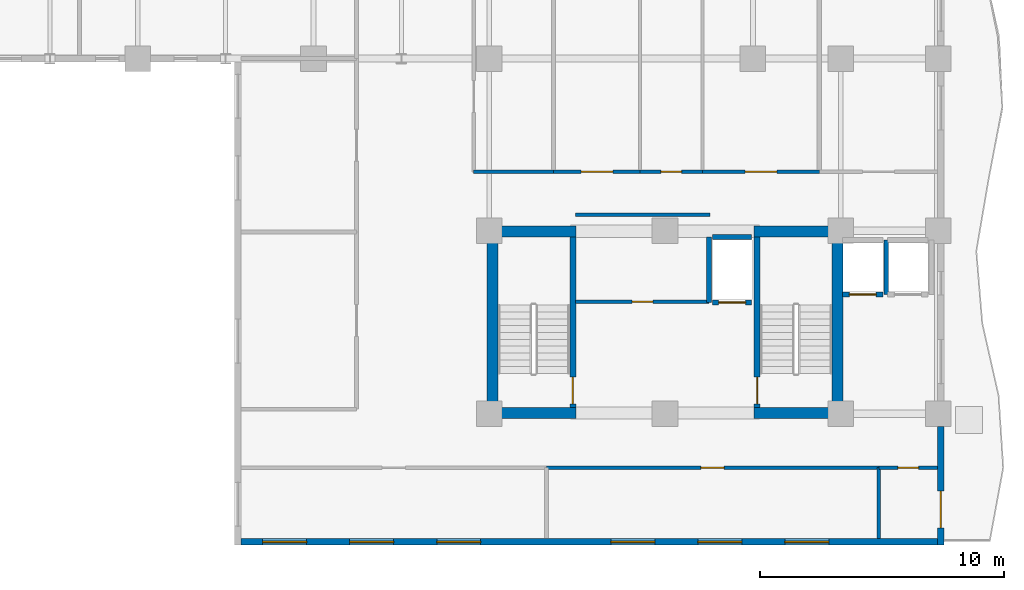
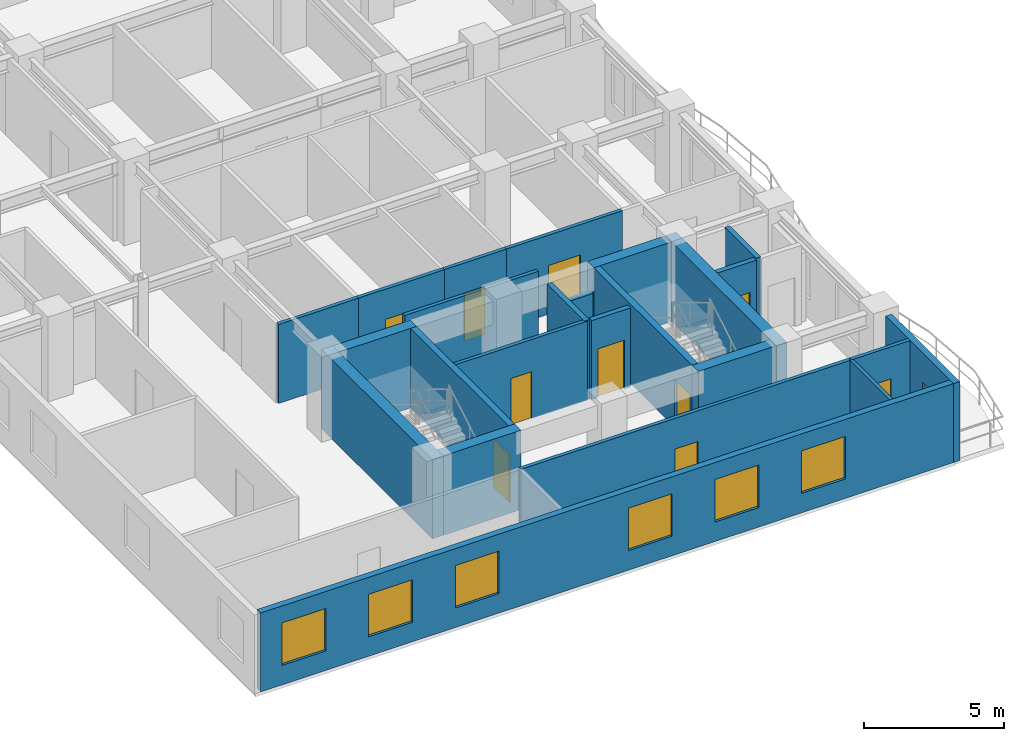
# One storey, part 6 of 12: 24 walls, 11 doors, 6 windows, 17 openings.
"""IFC4 building model written with IfcOpenShell, lengths in metres."""

from ifc_helpers import new_model, si_unit, direction, frame, frame_2d, origin, place, context, subcontext, project, spatial, rectangle, extrude, material, layer, layer_set, type_object, element, fill, save


model = new_model("IFC4")

# Units and contexts
model_context = context("Model", 3, precision=1e-05, world=origin(), true_north=direction((0.0, 1.0)))
body_context = subcontext(model_context, "Body", "Model", "MODEL_VIEW")
ifc_project = project(units=[si_unit("LENGTHUNIT", "METRE"), si_unit("AREAUNIT", "SQUARE_METRE"), si_unit("VOLUMEUNIT", "CUBIC_METRE"), si_unit("PLANEANGLEUNIT", "RADIAN"), si_unit("MASSUNIT", "GRAM", prefix="KILO")], contexts=[model_context])

# Site, building, storey
site_placement = place(None, origin())
site = spatial("IfcSite", under=ifc_project, at=site_placement, CompositionType="ELEMENT")
building_placement = place(site_placement, origin())
building = spatial("IfcBuilding", under=site, at=building_placement, Name="Kaliganga Portal Commons", CompositionType="ELEMENT")
storey_placement = place(building_placement, frame((0.0, 0.0, 147.60009765625)))
storey = spatial("IfcBuildingStorey", under=building, at=storey_placement, Name="L37", CompositionType="ELEMENT", Elevation=147.60009765625)

# Walls
ifc_material_1 = material(Name="Concrete C60/75", Category="concrete")
ifc_layer_1 = layer(ifc_material_1, 0.449951171875)
ifc_layer_set_1 = layer_set([ifc_layer_1], Name="Concrete C60/75")
wall_type_1 = type_object("IfcWallType", Name="WL-CORE-450", PredefinedType="SHEAR", material=ifc_layer_set_1)
for number, where, z_axis, x_axis, name in (
    (1, (36.125, 6.85009765625, 0.0), (0.0, 0.0, 1.0), (0.0, 1.0, 0.0), "Core B West Shear Wall L37"),
    (2, (50.27490234375, 6.85009765625, 0.0), (0.0, 0.0, 1.0), (0.0, 1.0, 0.0), "Core B East Shear Wall L37"),
):
    element("IfcWall", number, at=place(storey_placement, frame(where, z_axis=z_axis, x_axis=x_axis)), inside=storey, type_object=wall_type_1, Name=name, PredefinedType="SHEAR", context=body_context, shape_type="SweptSolid", body=[
        extrude(rectangle(XDim=7.89990234375, YDim=0.449951171875, at=frame_2d((3.949951171875, 0.0))), origin(), (0.0, 0.0, 1.0), 3.4599609375),
    ])
for number, where, z_axis, x_axis, name in (
    (3, (36.35009765625, 7.074951171875, 0.0), (0.0, 0.0, 1.0), (1.0, 0.0, 0.0), "Core B S-West Shear Wall L37"),
    (4, (46.85009765625, 7.074951171875, 0.0), (0.0, 0.0, 1.0), (1.0, 0.0, 0.0), "Core B S-East Shear Wall L37"),
    (5, (36.35009765625, 14.52490234375, 0.0), (0.0, 0.0, 1.0), (1.0, 0.0, 0.0), "Core B N-West Shear Wall L37"),
    (6, (46.85009765625, 14.52490234375, 0.0), (0.0, 0.0, 1.0), (1.0, 0.0, 0.0), "Core B N-East Shear Wall L37"),
):
    element("IfcWall", number, at=place(storey_placement, frame(where, z_axis=z_axis, x_axis=x_axis)), inside=storey, type_object=wall_type_1, Name=name, PredefinedType="SHEAR", context=body_context, shape_type="SweptSolid", body=[
        extrude(rectangle(XDim=3.199951171875, YDim=0.449951171875, at=frame_2d((1.60009765625, 0.0))), origin(), (0.0, 0.0, 1.0), 3.4599609375),
    ])

# Wall, openings, windows
ifc_material_2 = material(Name="Insulated Aluminium-Clad Spandrel Assembly", Category="aluminium")
ifc_layer_2 = layer(ifc_material_2, 0.260009765625)
ifc_layer_set_2 = layer_set([ifc_layer_2], Name="Insulated Aluminium-Clad Spandrel Assembly")
wall_type_2 = type_object("IfcWallType", Name="WL-EXT-SPAND-260", PredefinedType="STANDARD", material=ifc_layer_set_2)
wall_1_placement = place(storey_placement, frame((54.364990234375, 1.800048828125, 0.0), z_axis=(0.0, 0.0, 1.0), x_axis=(-1.0, 0.0, 0.0)))
wall_1 = element("IfcWall", 7, at=wall_1_placement, inside=storey, type_object=wall_type_2, Name="Exterior Envelope Wall L37 P1-E00-S1", PredefinedType="STANDARD", context=body_context, shape_type="SweptSolid", body=[
    extrude(rectangle(XDim=28.530029296875, YDim=0.260009765625, at=frame_2d((14.26513671875, 0.0))), origin(), (0.0, 0.0, 1.0), 3.43994140625),
])
opening_1_placement = place(wall_1_placement, frame((4.449462890625, 0.0, 0.85009765625)))
opening_1 = element("IfcOpeningElement", 8, at=opening_1_placement, cuts=wall_1, Name="Opening W-01", PredefinedType="OPENING", context=body_context, shape_type="SweptSolid", body=[
    extrude(rectangle(XDim=1.800048828125, YDim=1.85009765625, at=frame_2d((0.89990234375, 0.925048828125))), frame((0.0, 0.14013671875, 0.0), z_axis=(0.0, -1.0, 0.0), x_axis=(1.0, 0.0, 0.0)), (0.0, 0.0, 1.0), 0.280029296875),
])
opening_2_placement = place(wall_1_placement, frame((8.015625, 0.0, 0.85009765625)))
opening_2 = element("IfcOpeningElement", 9, at=opening_2_placement, cuts=wall_1, Name="Opening W-01", PredefinedType="OPENING", context=body_context, shape_type="SweptSolid", body=[
    extrude(rectangle(XDim=1.800048828125, YDim=1.85009765625, at=frame_2d((0.89990234375, 0.925048828125))), frame((0.0, 0.14013671875, 0.0), z_axis=(0.0, -1.0, 0.0), x_axis=(1.0, 0.0, 0.0)), (0.0, 0.0, 1.0), 0.280029296875),
])
opening_3_placement = place(wall_1_placement, frame((11.581787109375, 0.0, 0.85009765625)))
opening_3 = element("IfcOpeningElement", 10, at=opening_3_placement, cuts=wall_1, Name="Opening W-01", PredefinedType="OPENING", context=body_context, shape_type="SweptSolid", body=[
    extrude(rectangle(XDim=1.800048828125, YDim=1.85009765625, at=frame_2d((0.89990234375, 0.925048828125))), frame((0.0, 0.14013671875, 0.0), z_axis=(0.0, -1.0, 0.0), x_axis=(1.0, 0.0, 0.0)), (0.0, 0.0, 1.0), 0.280029296875),
])
opening_4_placement = place(wall_1_placement, frame((18.71435546875, 0.0, 0.85009765625)))
opening_4 = element("IfcOpeningElement", 11, at=opening_4_placement, cuts=wall_1, Name="Opening W-01", PredefinedType="OPENING", context=body_context, shape_type="SweptSolid", body=[
    extrude(rectangle(XDim=1.800048828125, YDim=1.85009765625, at=frame_2d((0.89990234375, 0.925048828125))), frame((0.0, 0.14013671875, 0.0), z_axis=(0.0, -1.0, 0.0), x_axis=(1.0, 0.0, 0.0)), (0.0, 0.0, 1.0), 0.280029296875),
])
opening_5_placement = place(wall_1_placement, frame((22.280517578125, 0.0, 0.85009765625)))
opening_5 = element("IfcOpeningElement", 12, at=opening_5_placement, cuts=wall_1, Name="Opening W-01", PredefinedType="OPENING", context=body_context, shape_type="SweptSolid", body=[
    extrude(rectangle(XDim=1.800048828125, YDim=1.85009765625, at=frame_2d((0.89990234375, 0.925048828125))), frame((0.0, 0.14013671875, 0.0), z_axis=(0.0, -1.0, 0.0), x_axis=(1.0, 0.0, 0.0)), (0.0, 0.0, 1.0), 0.280029296875),
])
opening_6_placement = place(wall_1_placement, frame((25.846923828125, 0.0, 0.85009765625)))
opening_6 = element("IfcOpeningElement", 13, at=opening_6_placement, cuts=wall_1, Name="Opening W-01", PredefinedType="OPENING", context=body_context, shape_type="SweptSolid", body=[
    extrude(rectangle(XDim=1.800048828125, YDim=1.85009765625, at=frame_2d((0.89990234375, 0.925048828125))), frame((0.0, 0.14013671875, 0.0), z_axis=(0.0, -1.0, 0.0), x_axis=(1.0, 0.0, 0.0)), (0.0, 0.0, 1.0), 0.280029296875),
])
ifc_material_3 = material(Name="Thermally Broken Aluminium and Low-E Double Glazing", Category="aluminium")
window_type = type_object("IfcWindowType", Name="WIN-STD-1800", PartitioningType="DOUBLE_PANEL_VERTICAL", PredefinedType="WINDOW", material=ifc_material_3)
window_1_placement = place(opening_1_placement, origin())
window_1 = element("IfcWindow", 14, at=window_1_placement, inside=storey, type_object=window_type, Name="Facade Window L37-P1E00S1-01", OverallHeight=1.85009765625, OverallWidth=1.800048828125, PartitioningType="SINGLE_PANEL", PredefinedType="WINDOW", context=body_context, shape_type="SweptSolid", body=[
    extrude(rectangle(XDim=1.800048828125, YDim=1.85009765625, at=frame_2d((0.89990234375, 0.925048828125))), frame((0.0, 0.030029296875, 0.0), z_axis=(0.0, -1.0, 0.0), x_axis=(1.0, 0.0, 0.0)), (0.0, 0.0, 1.0), 0.06005859375),
])
fill(opening_1, window_1)
window_2_placement = place(opening_2_placement, origin())
window_2 = element("IfcWindow", 15, at=window_2_placement, inside=storey, type_object=window_type, Name="Facade Window L37-P1E00S1-02", OverallHeight=1.85009765625, OverallWidth=1.800048828125, PartitioningType="SINGLE_PANEL", PredefinedType="WINDOW", context=body_context, shape_type="SweptSolid", body=[
    extrude(rectangle(XDim=1.800048828125, YDim=1.85009765625, at=frame_2d((0.89990234375, 0.925048828125))), frame((0.0, 0.030029296875, 0.0), z_axis=(0.0, -1.0, 0.0), x_axis=(1.0, 0.0, 0.0)), (0.0, 0.0, 1.0), 0.06005859375),
])
fill(opening_2, window_2)
window_3_placement = place(opening_3_placement, origin())
window_3 = element("IfcWindow", 16, at=window_3_placement, inside=storey, type_object=window_type, Name="Facade Window L37-P1E00S1-03", OverallHeight=1.85009765625, OverallWidth=1.800048828125, PartitioningType="SINGLE_PANEL", PredefinedType="WINDOW", context=body_context, shape_type="SweptSolid", body=[
    extrude(rectangle(XDim=1.800048828125, YDim=1.85009765625, at=frame_2d((0.89990234375, 0.925048828125))), frame((0.0, 0.030029296875, 0.0), z_axis=(0.0, -1.0, 0.0), x_axis=(1.0, 0.0, 0.0)), (0.0, 0.0, 1.0), 0.06005859375),
])
fill(opening_3, window_3)
window_4_placement = place(opening_4_placement, origin())
window_4 = element("IfcWindow", 17, at=window_4_placement, inside=storey, type_object=window_type, Name="Facade Window L37-P1E00S1-05", OverallHeight=1.85009765625, OverallWidth=1.800048828125, PartitioningType="SINGLE_PANEL", PredefinedType="WINDOW", context=body_context, shape_type="SweptSolid", body=[
    extrude(rectangle(XDim=1.800048828125, YDim=1.85009765625, at=frame_2d((0.89990234375, 0.925048828125))), frame((0.0, 0.030029296875, 0.0), z_axis=(0.0, -1.0, 0.0), x_axis=(1.0, 0.0, 0.0)), (0.0, 0.0, 1.0), 0.06005859375),
])
fill(opening_4, window_4)
window_5_placement = place(opening_5_placement, origin())
window_5 = element("IfcWindow", 18, at=window_5_placement, inside=storey, type_object=window_type, Name="Facade Window L37-P1E00S1-06", OverallHeight=1.85009765625, OverallWidth=1.800048828125, PartitioningType="SINGLE_PANEL", PredefinedType="WINDOW", context=body_context, shape_type="SweptSolid", body=[
    extrude(rectangle(XDim=1.800048828125, YDim=1.85009765625, at=frame_2d((0.89990234375, 0.925048828125))), frame((0.0, 0.030029296875, 0.0), z_axis=(0.0, -1.0, 0.0), x_axis=(1.0, 0.0, 0.0)), (0.0, 0.0, 1.0), 0.06005859375),
])
fill(opening_5, window_5)
window_6_placement = place(opening_6_placement, origin())
window_6 = element("IfcWindow", 19, at=window_6_placement, inside=storey, type_object=window_type, Name="Facade Window L37-P1E00S1-07", OverallHeight=1.85009765625, OverallWidth=1.800048828125, PartitioningType="SINGLE_PANEL", PredefinedType="WINDOW", context=body_context, shape_type="SweptSolid", body=[
    extrude(rectangle(XDim=1.800048828125, YDim=1.85009765625, at=frame_2d((0.89990234375, 0.925048828125))), frame((0.0, 0.030029296875, 0.0), z_axis=(0.0, -1.0, 0.0), x_axis=(1.0, 0.0, 0.0)), (0.0, 0.0, 1.0), 0.06005859375),
])
fill(opening_6, window_6)

# Wall, opening, door
wall_2_placement = place(storey_placement, frame((54.5, 6.52392578125, 0.0), z_axis=(0.0, 0.0, 1.0), x_axis=(0.0, -1.0, 0.0)))
wall_2 = element("IfcWall", 20, at=wall_2_placement, inside=storey, type_object=wall_type_2, Name="Exterior Envelope Wall L37 P1-E01-S1", PredefinedType="STANDARD", context=body_context, shape_type="SweptSolid", body=[
    extrude(rectangle(XDim=4.85400390625, YDim=0.260009765625, at=frame_2d((2.427001953125, 0.0))), origin(), (0.0, 0.0, 1.0), 3.43994140625),
])
opening_7_placement = place(wall_2_placement, frame((2.64794921875, 0.0, 0.0)))
opening_7 = element("IfcOpeningElement", 21, at=opening_7_placement, cuts=wall_2, Name="Opening BD-01", PredefinedType="OPENING", context=body_context, shape_type="SweptSolid", body=[
    extrude(rectangle(XDim=1.5, YDim=2.14990234375, at=frame_2d((0.75, 1.074951171875))), frame((0.0, 0.14013671875, 0.0), z_axis=(0.0, -1.0, 0.0), x_axis=(1.0, 0.0, 0.0)), (0.0, 0.0, 1.0), 0.280029296875),
])
ifc_material_4 = material(Name="Anodized Aluminium and Laminated Safety Glass", Category="aluminium")
door_type_1 = type_object("IfcDoorType", Name="DR-BALC-1500", OperationType="SLIDING_TO_LEFT", PredefinedType="DOOR", material=ifc_material_4)
door_1_placement = place(opening_7_placement, origin())
door_1 = element("IfcDoor", 22, at=door_1_placement, inside=storey, type_object=door_type_1, Name="Balcony Sliding Door L37 balc_east", OperationType="SLIDING_TO_LEFT", OverallHeight=2.14990234375, OverallWidth=1.5, PredefinedType="DOOR", context=body_context, shape_type="SweptSolid", body=[
    extrude(rectangle(XDim=1.5, YDim=2.14990234375, at=frame_2d((0.75, 1.074951171875))), frame((0.0, 0.02490234375, 0.0), z_axis=(0.0, -1.0, 0.0), x_axis=(1.0, 0.0, 0.0)), (0.0, 0.0, 1.0), 0.050048828125),
])
fill(opening_7, door_1)

ifc_material_5 = material(Name="Fire-Rated Gypsum Board on Steel Stud", Category="steel")
ifc_layer_3 = layer(ifc_material_5, 0.14990234375)
ifc_layer_set_3 = layer_set([ifc_layer_3], Name="Fire-Rated Gypsum Board on Steel Stud")
wall_type_3 = type_object("IfcWallType", Name="WL-PART-CORR-150", PredefinedType="PARTITIONING", material=ifc_layer_set_3)
wall_3_placement = place(storey_placement, frame((38.340087890625, 4.840087890625, 0.0), z_axis=(0.0, 0.0, 1.0), x_axis=(1.0, 0.0, 0.0)))
wall_3 = element("IfcWall", 23, at=wall_3_placement, inside=storey, type_object=wall_type_3, Name="Interior Partition L37-007", PredefinedType="PARTITIONING", context=body_context, shape_type="SweptSolid", body=[
    extrude(rectangle(XDim=13.619873046875, YDim=0.14990234375, at=frame_2d((6.81005859375, 0.0))), origin(), (0.0, 0.0, 1.0), 3.43994140625),
])
opening_8_placement = place(wall_3_placement, frame((6.3349609375, 0.0, 0.0)))
opening_8 = element("IfcOpeningElement", 24, at=opening_8_placement, cuts=wall_3, Name="Opening UD-01", PredefinedType="OPENING", context=body_context, shape_type="SweptSolid", body=[
    extrude(rectangle(XDim=0.949951171875, YDim=2.10009765625, at=frame_2d((0.47509765625, 1.050048828125))), frame((0.0, 0.0849609375, 0.0), z_axis=(0.0, -1.0, 0.0), x_axis=(1.0, 0.0, 0.0)), (0.0, 0.0, 1.0), 0.169921875),
])
ifc_material_6 = material(Name="Solid-Core Timber Acoustic Fire Door", Category="wood")
door_type_2 = type_object("IfcDoorType", Name="DR-UNIT-950", OperationType="NOTDEFINED", PredefinedType="DOOR", material=ifc_material_6)
door_2_placement = place(opening_8_placement, origin())
door_2 = element("IfcDoor", 25, at=door_2_placement, inside=storey, type_object=door_type_2, Name="Interior Door L37-BS02", OperationType="SINGLE_SWING_RIGHT", OverallHeight=2.10009765625, OverallWidth=0.949951171875, PredefinedType="DOOR", context=body_context, shape_type="SweptSolid", body=[
    extrude(rectangle(XDim=0.949951171875, YDim=2.10009765625, at=frame_2d((0.47509765625, 1.050048828125))), frame((0.0, 0.02490234375, 0.0), z_axis=(0.0, -1.0, 0.0), x_axis=(1.0, 0.0, 0.0)), (0.0, 0.0, 1.0), 0.050048828125),
])
fill(opening_8, door_2)

wall_4_placement = place(storey_placement, frame((39.5400390625, 11.639892578125, 0.0), z_axis=(0.0, 0.0, 1.0), x_axis=(1.0, 0.0, 0.0)))
wall_4 = element("IfcWall", 26, at=wall_4_placement, inside=storey, type_object=wall_type_3, Name="Interior Partition L37-025", PredefinedType="PARTITIONING", context=body_context, shape_type="SweptSolid", body=[
    extrude(rectangle(XDim=5.469970703125, YDim=0.14990234375, at=frame_2d((2.73486328125, 0.0))), origin(), (0.0, 0.0, 1.0), 3.43994140625),
])
opening_9_placement = place(wall_4_placement, frame((2.31005859375, 0.0, 0.0)))
opening_9 = element("IfcOpeningElement", 27, at=opening_9_placement, cuts=wall_4, Name="Opening WD-01", PredefinedType="OPENING", context=body_context, shape_type="SweptSolid", body=[
    extrude(rectangle(XDim=0.85009765625, YDim=2.0400390625, at=frame_2d((0.425048828125, 1.02001953125))), frame((0.0, 0.0849609375, 0.0), z_axis=(0.0, -1.0, 0.0), x_axis=(1.0, 0.0, 0.0)), (0.0, 0.0, 1.0), 0.169921875),
])
ifc_material_7 = material(Name="Moisture-Resistant Laminate Timber Door", Category="wood")
door_type_3 = type_object("IfcDoorType", Name="DR-WET-850", OperationType="NOTDEFINED", PredefinedType="DOOR", material=ifc_material_7)
door_3_placement = place(opening_9_placement, origin())
door_3 = element("IfcDoor", 28, at=door_3_placement, inside=storey, type_object=door_type_3, Name="Interior Door L37-CREC_B1", OperationType="SINGLE_SWING_LEFT", OverallHeight=2.0400390625, OverallWidth=0.85009765625, PredefinedType="DOOR", context=body_context, shape_type="SweptSolid", body=[
    extrude(rectangle(XDim=0.85009765625, YDim=2.0400390625, at=frame_2d((0.425048828125, 1.02001953125))), frame((0.0, 0.02490234375, 0.0), z_axis=(0.0, -1.0, 0.0), x_axis=(1.0, 0.0, 0.0)), (0.0, 0.0, 1.0), 0.050048828125),
])
fill(opening_9, door_3)

# Wall
wall_5_placement = place(storey_placement, frame((39.5400390625, 15.199951171875, 0.0), z_axis=(0.0, 0.0, 1.0), x_axis=(1.0, 0.0, 0.0)))
element("IfcWall", 29, at=wall_5_placement, inside=storey, type_object=wall_type_3, Name="Interior Partition L37-026", PredefinedType="PARTITIONING", context=body_context, shape_type="SweptSolid", body=[
    extrude(rectangle(XDim=5.5, YDim=0.14990234375, at=frame_2d((2.75, 0.0))), origin(), (0.0, 0.0, 1.0), 3.43994140625),
])

# Wall, opening, door
wall_6_placement = place(storey_placement, frame((44.739990234375, 16.9599609375, 0.0), z_axis=(0.0, 0.0, 1.0), x_axis=(1.0, 0.0, 0.0)))
wall_6 = element("IfcWall", 30, at=wall_6_placement, inside=storey, type_object=wall_type_3, Name="Interior Partition L37-032", PredefinedType="PARTITIONING", context=body_context, shape_type="SweptSolid", body=[
    extrude(rectangle(XDim=4.780029296875, YDim=0.14990234375, at=frame_2d((2.39013671875, 0.0))), origin(), (0.0, 0.0, 1.0), 3.43994140625),
])
opening_10_placement = place(wall_6_placement, frame((1.739990234375, 0.0, 0.0)))
opening_10 = element("IfcOpeningElement", 31, at=opening_10_placement, cuts=wall_6, Name="Opening RD-03", PredefinedType="OPENING", context=body_context, shape_type="SweptSolid", body=[
    extrude(rectangle(XDim=1.300048828125, YDim=2.1201171875, at=frame_2d((0.64990234375, 1.06005859375))), frame((0.0, 0.0849609375, 0.0), z_axis=(0.0, -1.0, 0.0), x_axis=(1.0, 0.0, 0.0)), (0.0, 0.0, 1.0), 0.169921875),
])
ifc_material_8 = material(Name="Glazed Timber Seminar Vision Door", Category="wood")
door_type_4 = type_object("IfcDoorType", Name="DR-STUDY-1300", OperationType="DOUBLE_DOOR_SINGLE_SWING", PredefinedType="DOOR", material=ifc_material_8)
door_4_placement = place(opening_10_placement, origin())
door_4 = element("IfcDoor", 32, at=door_4_placement, inside=storey, type_object=door_type_4, Name="Interior Door L37-BM04", OperationType="DOUBLE_DOOR_SINGLE_SWING", OverallHeight=2.1201171875, OverallWidth=1.300048828125, PredefinedType="DOOR", context=body_context, shape_type="SweptSolid", body=[
    extrude(rectangle(XDim=1.300048828125, YDim=2.1201171875, at=frame_2d((0.64990234375, 1.06005859375))), frame((0.0, 0.02490234375, 0.0), z_axis=(0.0, -1.0, 0.0), x_axis=(1.0, 0.0, 0.0)), (0.0, 0.0, 1.0), 0.050048828125),
])
fill(opening_10, door_4)

wall_7_placement = place(storey_placement, frame((38.639892578125, 16.9599609375, 0.0), z_axis=(0.0, 0.0, 1.0), x_axis=(1.0, 0.0, 0.0)))
wall_7 = element("IfcWall", 33, at=wall_7_placement, inside=storey, type_object=wall_type_3, Name="Interior Partition L37-045", PredefinedType="PARTITIONING", context=body_context, shape_type="SweptSolid", body=[
    extrude(rectangle(XDim=3.5400390625, YDim=0.14990234375, at=frame_2d((1.77001953125, 0.0))), origin(), (0.0, 0.0, 1.0), 3.43994140625),
])
opening_11_placement = place(wall_7_placement, frame((1.1201171875, 0.0, 0.0)))
opening_11 = element("IfcOpeningElement", 34, at=opening_11_placement, cuts=wall_7, Name="Opening RD-03", PredefinedType="OPENING", context=body_context, shape_type="SweptSolid", body=[
    extrude(rectangle(XDim=1.300048828125, YDim=2.1201171875, at=frame_2d((0.64990234375, 1.06005859375))), frame((0.0, 0.0849609375, 0.0), z_axis=(0.0, -1.0, 0.0), x_axis=(1.0, 0.0, 0.0)), (0.0, 0.0, 1.0), 0.169921875),
])
door_5_placement = place(opening_11_placement, origin())
door_5 = element("IfcDoor", 35, at=door_5_placement, inside=storey, type_object=door_type_4, Name="Interior Door L37-BM02", OperationType="DOUBLE_DOOR_SINGLE_SWING", OverallHeight=2.1201171875, OverallWidth=1.300048828125, PredefinedType="DOOR", context=body_context, shape_type="SweptSolid", body=[
    extrude(rectangle(XDim=1.300048828125, YDim=2.1201171875, at=frame_2d((0.64990234375, 1.06005859375))), frame((0.0, 0.02490234375, 0.0), z_axis=(0.0, -1.0, 0.0), x_axis=(1.0, 0.0, 0.0)), (0.0, 0.0, 1.0), 0.050048828125),
])
fill(opening_11, door_5)

# Wall
wall_8_placement = place(storey_placement, frame((35.360107421875, 16.9599609375, 0.0), z_axis=(0.0, 0.0, 1.0), x_axis=(1.0, 0.0, 0.0)))
element("IfcWall", 36, at=wall_8_placement, inside=storey, type_object=wall_type_3, Name="Interior Partition L37-047", PredefinedType="PARTITIONING", context=body_context, shape_type="SweptSolid", body=[
    extrude(rectangle(XDim=3.27978515625, YDim=0.14990234375, at=frame_2d((1.639892578125, 0.0))), origin(), (0.0, 0.0, 1.0), 3.43994140625),
])

# Wall, opening, door
wall_9_placement = place(storey_placement, frame((42.179931640625, 16.9599609375, 0.0), z_axis=(0.0, 0.0, 1.0), x_axis=(1.0, 0.0, 0.0)))
wall_9 = element("IfcWall", 37, at=wall_9_placement, inside=storey, type_object=wall_type_3, Name="Interior Partition L37-050", PredefinedType="PARTITIONING", context=body_context, shape_type="SweptSolid", body=[
    extrude(rectangle(XDim=2.56005859375, YDim=0.14990234375, at=frame_2d((1.280029296875, 0.0))), origin(), (0.0, 0.0, 1.0), 3.43994140625),
])
opening_12_placement = place(wall_9_placement, frame((0.85498046875, 0.0, 0.0)))
opening_12 = element("IfcOpeningElement", 38, at=opening_12_placement, cuts=wall_9, Name="Opening WD-01", PredefinedType="OPENING", context=body_context, shape_type="SweptSolid", body=[
    extrude(rectangle(XDim=0.85009765625, YDim=2.0400390625, at=frame_2d((0.425048828125, 1.02001953125))), frame((0.0, 0.0849609375, 0.0), z_axis=(0.0, -1.0, 0.0), x_axis=(1.0, 0.0, 0.0)), (0.0, 0.0, 1.0), 0.169921875),
])
door_6_placement = place(opening_12_placement, origin())
door_6 = element("IfcDoor", 39, at=door_6_placement, inside=storey, type_object=door_type_3, Name="Interior Door L37-BM03", OperationType="SINGLE_SWING_LEFT", OverallHeight=2.0400390625, OverallWidth=0.85009765625, PredefinedType="DOOR", context=body_context, shape_type="SweptSolid", body=[
    extrude(rectangle(XDim=0.85009765625, YDim=2.0400390625, at=frame_2d((0.425048828125, 1.02001953125))), frame((0.0, 0.02490234375, 0.0), z_axis=(0.0, -1.0, 0.0), x_axis=(1.0, 0.0, 0.0)), (0.0, 0.0, 1.0), 0.050048828125),
])
fill(opening_12, door_6)

wall_10_placement = place(storey_placement, frame((51.9599609375, 4.840087890625, 0.0), z_axis=(0.0, 0.0, 1.0), x_axis=(1.0, 0.0, 0.0)))
wall_10 = element("IfcWall", 40, at=wall_10_placement, inside=storey, type_object=wall_type_3, Name="Interior Partition L37-053", PredefinedType="PARTITIONING", context=body_context, shape_type="SweptSolid", body=[
    extrude(rectangle(XDim=2.407958984375, YDim=0.14990234375, at=frame_2d((1.2041015625, 0.0))), origin(), (0.0, 0.0, 1.0), 3.43994140625),
])
opening_13_placement = place(wall_10_placement, frame((0.779052734375, 0.0, 0.0)))
opening_13 = element("IfcOpeningElement", 41, at=opening_13_placement, cuts=wall_10, Name="Opening WD-01", PredefinedType="OPENING", context=body_context, shape_type="SweptSolid", body=[
    extrude(rectangle(XDim=0.85009765625, YDim=2.0400390625, at=frame_2d((0.425048828125, 1.02001953125))), frame((0.0, 0.0849609375, 0.0), z_axis=(0.0, -1.0, 0.0), x_axis=(1.0, 0.0, 0.0)), (0.0, 0.0, 1.0), 0.169921875),
])
door_7_placement = place(opening_13_placement, origin())
door_7 = element("IfcDoor", 42, at=door_7_placement, inside=storey, type_object=door_type_3, Name="Interior Door L37-BS03", OperationType="SINGLE_SWING_LEFT", OverallHeight=2.0400390625, OverallWidth=0.85009765625, PredefinedType="DOOR", context=body_context, shape_type="SweptSolid", body=[
    extrude(rectangle(XDim=0.85009765625, YDim=2.0400390625, at=frame_2d((0.425048828125, 1.02001953125))), frame((0.0, 0.02490234375, 0.0), z_axis=(0.0, -1.0, 0.0), x_axis=(1.0, 0.0, 0.0)), (0.0, 0.0, 1.0), 0.050048828125),
])
fill(opening_13, door_7)

# Wall
ifc_material_9 = material(Name="Cement-Board Wet-Room Partition", Category="gypsum")
ifc_layer_4 = layer(ifc_material_9, 0.135009765625)
ifc_layer_set_4 = layer_set([ifc_layer_4], Name="Cement-Board Wet-Room Partition")
wall_type_4 = type_object("IfcWallType", Name="WL-PART-WET-135", PredefinedType="PARTITIONING", material=ifc_layer_set_4)
wall_11_placement = place(storey_placement, frame((51.9599609375, 1.931884765625, 0.0), z_axis=(0.0, 0.0, 1.0), x_axis=(0.0, 1.0, 0.0)))
element("IfcWall", 43, at=wall_11_placement, inside=storey, type_object=wall_type_4, Name="Interior Partition L37-087", PredefinedType="PARTITIONING", context=body_context, shape_type="SweptSolid", body=[
    extrude(rectangle(XDim=2.908203125, YDim=0.135009765625, at=frame_2d((1.4541015625, 0.0))), origin(), (0.0, 0.0, 1.0), 3.43994140625),
])

# Wall, opening, door
ifc_material_10 = material(Name="Fire-Rated Shaftwall Masonry Assembly", Category="masonry")
ifc_layer_5 = layer(ifc_material_10, 0.199951171875)
ifc_layer_set_5 = layer_set([ifc_layer_5], Name="Fire-Rated Shaftwall Masonry Assembly")
wall_type_5 = type_object("IfcWallType", Name="WL-SHAFT-200", PredefinedType="PARTITIONING", material=ifc_layer_set_5)
wall_12_placement = place(storey_placement, frame((50.47509765625, 11.93505859375, 0.0), z_axis=(0.0, 0.0, 1.0), x_axis=(1.0, 0.0, 0.0)))
wall_12 = element("IfcWall", 44, at=wall_12_placement, inside=storey, type_object=wall_type_5, Name="Lift PL-B3 Hoistway Shaft Wall L37-S", PredefinedType="PARTITIONING", context=body_context, shape_type="SweptSolid", body=[
    extrude(rectangle(XDim=1.64990234375, YDim=0.199951171875, at=frame_2d((0.824951171875, 0.0))), origin(), (0.0, 0.0, 1.0), 3.43994140625),
])
opening_14_placement = place(wall_12_placement, frame((0.27490234375, 0.0, 0.0)))
opening_14 = element("IfcOpeningElement", 45, at=opening_14_placement, cuts=wall_12, Name="Opening LD-01", PredefinedType="OPENING", context=body_context, shape_type="SweptSolid", body=[
    extrude(rectangle(XDim=1.10009765625, YDim=2.1201171875, at=frame_2d((0.550048828125, 1.06005859375))), frame((0.0, 0.10986328125, 0.0), z_axis=(0.0, -1.0, 0.0), x_axis=(1.0, 0.0, 0.0)), (0.0, 0.0, 1.0), 0.219970703125),
])
ifc_material_11 = material(Name="Brushed Stainless Steel 316 Lift Landing Door", Category="steel")
door_type_5 = type_object("IfcDoorType", Name="DR-LIFT-1100", OperationType="SLIDING_TO_LEFT", PredefinedType="DOOR", material=ifc_material_11)
door_8_placement = place(opening_14_placement, origin())
door_8 = element("IfcDoor", 46, at=door_8_placement, inside=storey, type_object=door_type_5, Name="Lift PL-B3 Sliding Landing Door L37", OperationType="SLIDING_TO_LEFT", OverallHeight=2.1201171875, OverallWidth=1.10009765625, PredefinedType="DOOR", context=body_context, shape_type="SweptSolid", body=[
    extrude(rectangle(XDim=1.10009765625, YDim=2.1201171875, at=frame_2d((0.550048828125, 1.06005859375))), frame((0.0, 0.02490234375, 0.0), z_axis=(0.0, -1.0, 0.0), x_axis=(1.0, 0.0, 0.0)), (0.0, 0.0, 1.0), 0.050048828125),
])
fill(opening_14, door_8)

# Wall
wall_13_placement = place(storey_placement, frame((52.264892578125, 11.93505859375, 0.0), z_axis=(0.0, 0.0, 1.0), x_axis=(0.0, 1.0, 0.0)))
element("IfcWall", 47, at=wall_13_placement, inside=storey, type_object=wall_type_5, Name="Lift PL-B3 Hoistway Shaft Wall L37-E", PredefinedType="PARTITIONING", context=body_context, shape_type="SweptSolid", body=[
    extrude(rectangle(XDim=2.22998046875, YDim=0.199951171875, at=frame_2d((1.114990234375, 0.0))), origin(), (0.0, 0.0, 1.0), 3.43994140625),
])

# Wall, opening, door
wall_14_placement = place(storey_placement, frame((45.14990234375, 11.610107421875, 0.0), z_axis=(0.0, 0.0, 1.0), x_axis=(1.0, 0.0, 0.0)))
wall_14 = element("IfcWall", 48, at=wall_14_placement, inside=storey, type_object=wall_type_5, Name="Lift SL-B1 Hoistway Shaft Wall L37-S", PredefinedType="PARTITIONING", context=body_context, shape_type="SweptSolid", body=[
    extrude(rectangle(XDim=1.60009765625, YDim=0.199951171875, at=frame_2d((0.800048828125, 0.0))), origin(), (0.0, 0.0, 1.0), 3.43994140625),
])
opening_15_placement = place(wall_14_placement, frame((0.25, 0.0, 0.0)))
opening_15 = element("IfcOpeningElement", 49, at=opening_15_placement, cuts=wall_14, Name="Opening LD-01", PredefinedType="OPENING", context=body_context, shape_type="SweptSolid", body=[
    extrude(rectangle(XDim=1.10009765625, YDim=2.1201171875, at=frame_2d((0.550048828125, 1.06005859375))), frame((0.0, 0.10986328125, 0.0), z_axis=(0.0, -1.0, 0.0), x_axis=(1.0, 0.0, 0.0)), (0.0, 0.0, 1.0), 0.219970703125),
])
door_9_placement = place(opening_15_placement, origin())
door_9 = element("IfcDoor", 50, at=door_9_placement, inside=storey, type_object=door_type_5, Name="Lift SL-B1 Sliding Landing Door L37", OperationType="SLIDING_TO_LEFT", OverallHeight=2.1201171875, OverallWidth=1.10009765625, PredefinedType="DOOR", context=body_context, shape_type="SweptSolid", body=[
    extrude(rectangle(XDim=1.10009765625, YDim=2.1201171875, at=frame_2d((0.550048828125, 1.06005859375))), frame((0.0, 0.02490234375, 0.0), z_axis=(0.0, -1.0, 0.0), x_axis=(1.0, 0.0, 0.0)), (0.0, 0.0, 1.0), 0.050048828125),
])
fill(opening_15, door_9)

# Walls
wall_15_placement = place(storey_placement, frame((45.14990234375, 14.2900390625, 0.0), z_axis=(0.0, 0.0, 1.0), x_axis=(1.0, 0.0, 0.0)))
element("IfcWall", 51, at=wall_15_placement, inside=storey, type_object=wall_type_5, Name="Lift SL-B1 Hoistway Shaft Wall L37-N", PredefinedType="PARTITIONING", context=body_context, shape_type="SweptSolid", body=[
    extrude(rectangle(XDim=1.60009765625, YDim=0.199951171875, at=frame_2d((0.800048828125, 0.0))), origin(), (0.0, 0.0, 1.0), 2.43994140625),
])
wall_16_placement = place(storey_placement, frame((45.010009765625, 11.610107421875, 0.0), z_axis=(0.0, 0.0, 1.0), x_axis=(0.0, 1.0, 0.0)))
element("IfcWall", 52, at=wall_16_placement, inside=storey, type_object=wall_type_5, Name="Lift SL-B1 Hoistway Shaft Wall L37-W", PredefinedType="PARTITIONING", context=body_context, shape_type="SweptSolid", body=[
    extrude(rectangle(XDim=2.679931640625, YDim=0.199951171875, at=frame_2d((1.33984375, 0.0))), origin(), (0.0, 0.0, 1.0), 3.43994140625),
])

# Wall, opening, door
ifc_material_12 = material(Name="Concrete C50/60", Category="concrete")
ifc_layer_6 = layer(ifc_material_12, 0.25)
ifc_layer_set_6 = layer_set([ifc_layer_6], Name="Concrete C50/60")
wall_type_6 = type_object("IfcWallType", Name="WL-STAIR-250", PredefinedType="SHEAR", material=ifc_layer_set_6)
wall_17_placement = place(storey_placement, frame((39.425048828125, 7.300048828125, 0.0), z_axis=(0.0, 0.0, 1.0), x_axis=(0.0, 1.0, 0.0)))
wall_17 = element("IfcWall", 53, at=wall_17_placement, inside=storey, type_object=wall_type_6, Name="Stair B1 Enclosure Shear Wall L37", PredefinedType="SHEAR", context=body_context, shape_type="SweptSolid", body=[
    extrude(rectangle(XDim=7.0, YDim=0.25, at=frame_2d((3.5, 0.0))), origin(), (0.0, 0.0, 1.0), 3.4599609375),
])
opening_16_placement = place(wall_17_placement, frame((0.14990234375, 0.0, 0.0)))
opening_16 = element("IfcOpeningElement", 54, at=opening_16_placement, cuts=wall_17, Name="Opening SD-01", PredefinedType="OPENING", context=body_context, shape_type="SweptSolid", body=[
    extrude(rectangle(XDim=1.10009765625, YDim=2.080078125, at=frame_2d((0.550048828125, 1.0400390625))), frame((0.0, 0.135009765625, 0.0), z_axis=(0.0, -1.0, 0.0), x_axis=(1.0, 0.0, 0.0)), (0.0, 0.0, 1.0), 0.27001953125),
])
ifc_material_13 = material(Name="Galvanized Steel Fire Door Leaf and Frame", Category="steel")
door_type_6 = type_object("IfcDoorType", Name="DR-STAIR-1100", OperationType="NOTDEFINED", PredefinedType="DOOR", material=ifc_material_13)
door_10_placement = place(opening_16_placement, origin())
door_10 = element("IfcDoor", 55, at=door_10_placement, inside=storey, type_object=door_type_6, Name="Protected Stair ST-B1 Fire Door L37", OperationType="SINGLE_SWING_LEFT", OverallHeight=2.080078125, OverallWidth=1.10009765625, PredefinedType="DOOR", context=body_context, shape_type="SweptSolid", body=[
    extrude(rectangle(XDim=1.10009765625, YDim=2.080078125, at=frame_2d((0.550048828125, 1.0400390625))), frame((0.0, 0.02490234375, 0.0), z_axis=(0.0, -1.0, 0.0), x_axis=(1.0, 0.0, 0.0)), (0.0, 0.0, 1.0), 0.050048828125),
])
fill(opening_16, door_10)

wall_18_placement = place(storey_placement, frame((46.97509765625, 7.300048828125, 0.0), z_axis=(0.0, 0.0, 1.0), x_axis=(0.0, 1.0, 0.0)))
wall_18 = element("IfcWall", 56, at=wall_18_placement, inside=storey, type_object=wall_type_6, Name="Stair B2 Enclosure Shear Wall L37", PredefinedType="SHEAR", context=body_context, shape_type="SweptSolid", body=[
    extrude(rectangle(XDim=7.0, YDim=0.25, at=frame_2d((3.5, 0.0))), origin(), (0.0, 0.0, 1.0), 3.4599609375),
])
opening_17_placement = place(wall_18_placement, frame((0.14990234375, 0.0, 0.0)))
opening_17 = element("IfcOpeningElement", 57, at=opening_17_placement, cuts=wall_18, Name="Opening SD-01", PredefinedType="OPENING", context=body_context, shape_type="SweptSolid", body=[
    extrude(rectangle(XDim=1.10009765625, YDim=2.080078125, at=frame_2d((0.550048828125, 1.0400390625))), frame((0.0, 0.135009765625, 0.0), z_axis=(0.0, -1.0, 0.0), x_axis=(1.0, 0.0, 0.0)), (0.0, 0.0, 1.0), 0.27001953125),
])
door_11_placement = place(opening_17_placement, origin())
door_11 = element("IfcDoor", 58, at=door_11_placement, inside=storey, type_object=door_type_6, Name="Protected Stair ST-B2 Fire Door L37", OperationType="SINGLE_SWING_RIGHT", OverallHeight=2.080078125, OverallWidth=1.10009765625, PredefinedType="DOOR", context=body_context, shape_type="SweptSolid", body=[
    extrude(rectangle(XDim=1.10009765625, YDim=2.080078125, at=frame_2d((0.550048828125, 1.0400390625))), frame((0.0, 0.02490234375, 0.0), z_axis=(0.0, -1.0, 0.0), x_axis=(1.0, 0.0, 0.0)), (0.0, 0.0, 1.0), 0.050048828125),
])
fill(opening_17, door_11)

save(model, "model.ifc")
